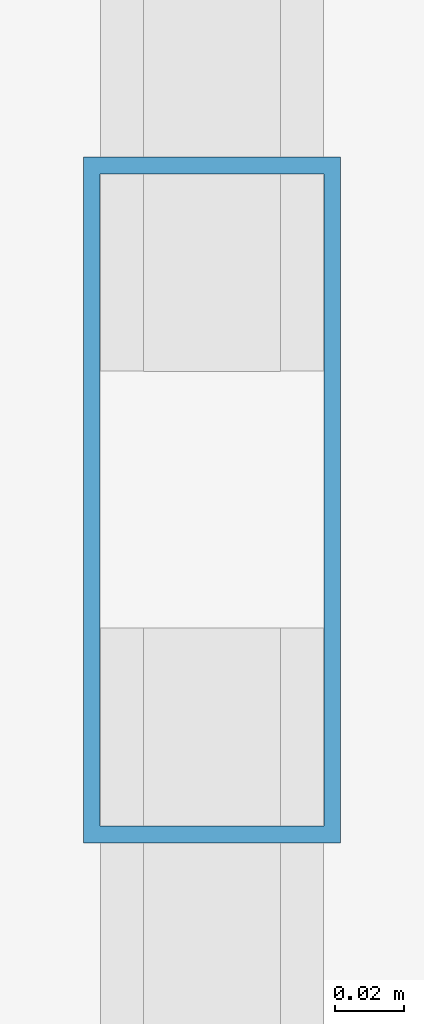
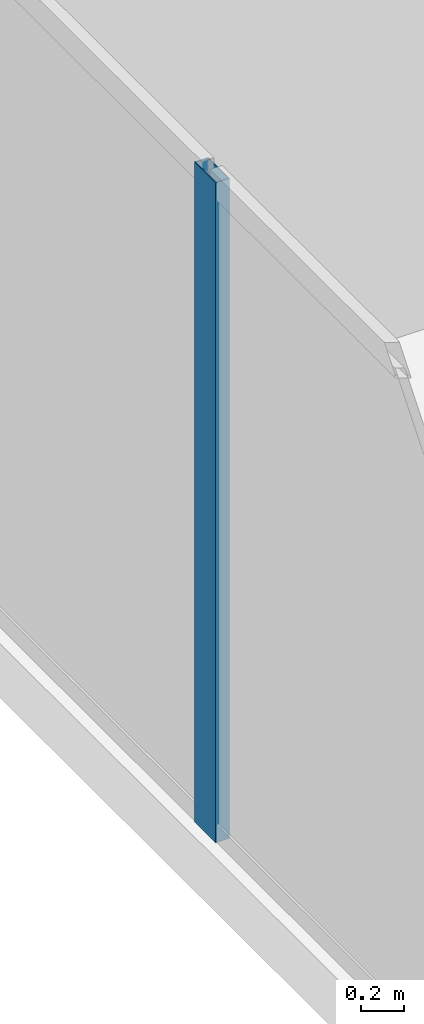
# One storey, part 8 of 30: 1 member, 1 element without a shape of its own.
"""IFC4 building model written with IfcOpenShell, lengths in metres."""

from ifc_helpers import new_model, si_unit, direction, frame, origin, origin_2d, place, context, subcontext, project, spatial, hollow_rectangle, extrude, source, transform, mapped, material, layer, layer_set, material_profile, profile_set, type_object, type_shapes, element, aggregate, save


model = new_model("IFC4")

# Units and contexts
model_context = context("Model", 3, precision=1e-05, world=origin(), true_north=direction((0.0, 1.0)))
body_context = subcontext(model_context, "Body", "Model", "MODEL_VIEW")
ifc_project = project(units=[si_unit("LENGTHUNIT", "METRE"), si_unit("AREAUNIT", "SQUARE_METRE"), si_unit("VOLUMEUNIT", "CUBIC_METRE"), si_unit("PLANEANGLEUNIT", "RADIAN"), si_unit("MASSUNIT", "GRAM", prefix="KILO")], contexts=[model_context])

# Site, building, storey
site_placement = place(None, origin())
site = spatial("IfcSite", under=ifc_project, at=site_placement, CompositionType="ELEMENT")
building_placement = place(site_placement, origin())
building = spatial("IfcBuilding", under=site, at=building_placement, Name="Haelvirn Gate Laboratories", CompositionType="ELEMENT")
storey_placement = place(building_placement, frame((0.0, 0.0, 129.699951171875)))
storey = spatial("IfcBuildingStorey", under=building, at=storey_placement, Name="L31", CompositionType="ELEMENT", Elevation=129.699951171875)

# Curtain wall, member
ifc_material_1 = material(Name="Anodised bronze unitised aluminium & triple low-E glass", Category="aluminium")
ifc_layer = layer(ifc_material_1, 0.179931640625, Name="CW-SYS-3")
ifc_layer_set = layer_set([ifc_layer], Name="Anodised bronze unitised aluminium & triple low-E glass")
curtain_wall_type = type_object("IfcCurtainWallType", Name="CW-SYS-3", PredefinedType="NOTDEFINED", material=ifc_layer_set)
curtain_wall_placement = place(storey_placement, origin())
curtain_wall = element("IfcCurtainWall", 1, at=curtain_wall_placement, inside=storey, type_object=curtain_wall_type, Name="L31 Unitised Curtain Wall CW-L31-P0-E17", PredefinedType="NOTDEFINED")
ifc_material_2 = material(Name="Extruded aluminium 6063-T6 (anodised bronze)", Category="aluminium")
ifc_material_profile = material_profile(ifc_material_2, hollow_rectangle(XDim=0.074951171875, YDim=0.199951171875, WallThickness=0.0048828125, at=origin_2d()), Name="CWM-200x75x5")
ifc_profile_set = profile_set([ifc_material_profile], Name="Extruded aluminium 6063-T6 (anodised bronze)")
member_type = type_object("IfcMemberType", Name="CWM-T200", PredefinedType="MULLION", material=ifc_profile_set)
shared_shape = source(origin(), body_context, "Body", "SweptSolid", [
    extrude(hollow_rectangle(XDim=0.074951171875, YDim=0.199951171875, WallThickness=0.0048828125, at=origin_2d()), origin(), (0.0, 0.0, 1.0), 3.7900390625),
])
type_shapes(member_type, [shared_shape])
member_placement = place(storey_placement, frame((2.10009765625, 30.966552734375, 0.0), z_axis=(0.0, 0.0, 1.0), x_axis=(1.0, 0.0, 0.0)))
member = element("IfcMember", 2, at=member_placement, type_object=member_type, Name="CW3 mullion 2", PredefinedType="MULLION", context=body_context, shape_type="MappedRepresentation", body=[
    mapped(shared_shape, transform((0.0, 0.0, 0.0), scale=1.0)),
])
aggregate(curtain_wall, [member])

save(model, "model.ifc")
